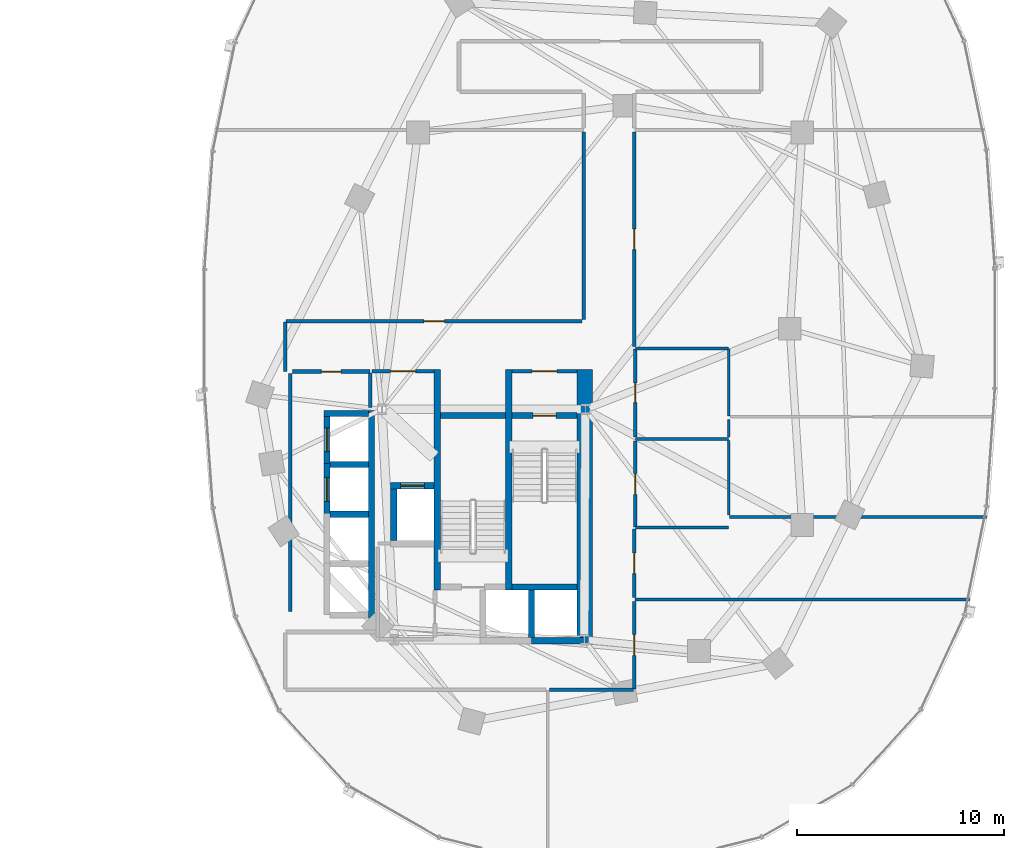
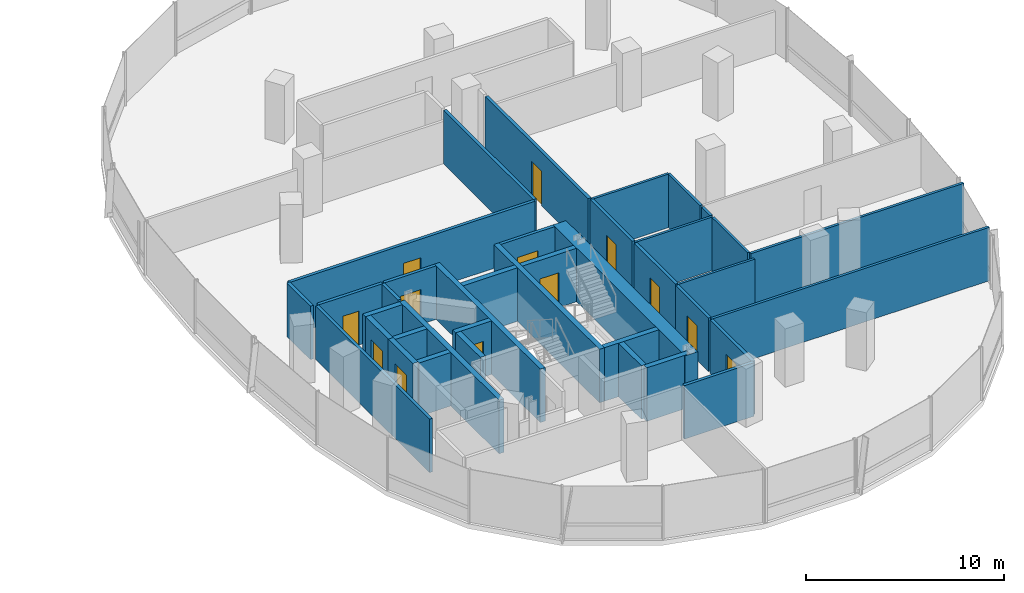
# One storey, part 13 of 21: 38 walls, 13 doors, 13 openings.
"""IFC4 building model written with IfcOpenShell, lengths in metres."""

from ifc_helpers import new_model, si_unit, direction, frame, frame_2d, origin, place, context, subcontext, project, spatial, rectangle, extrude, material, layer, layer_set, type_object, element, fill, save


model = new_model("IFC4")

# Units and contexts
model_context = context("Model", 3, precision=1e-05, world=origin(), true_north=direction((0.0, 1.0)))
body_context = subcontext(model_context, "Body", "Model", "MODEL_VIEW")
ifc_project = project(units=[si_unit("LENGTHUNIT", "METRE"), si_unit("AREAUNIT", "SQUARE_METRE"), si_unit("VOLUMEUNIT", "CUBIC_METRE"), si_unit("PLANEANGLEUNIT", "RADIAN"), si_unit("MASSUNIT", "GRAM", prefix="KILO"), si_unit("THERMODYNAMICTEMPERATUREUNIT", "KELVIN"), si_unit("POWERUNIT", "WATT")], contexts=[model_context])

# Site, building, storey
site_placement = place(None, origin())
site = spatial("IfcSite", under=ifc_project, at=site_placement, CompositionType="ELEMENT")
building_placement = place(site_placement, origin())
building = spatial("IfcBuilding", under=site, at=building_placement, Name="Cundina Bronze Exchange", CompositionType="ELEMENT")
storey_placement = place(building_placement, frame((0.0, 0.0, 96.199951171875)))
storey = spatial("IfcBuildingStorey", under=building, at=storey_placement, Name="L24", CompositionType="ELEMENT", Elevation=96.199951171875)

# Wall
ifc_material_1 = material(Name="Gypsum Fireboard Partition EI120")
ifc_layer_1 = layer(ifc_material_1, 0.179931640625, Name="Gypsum Fireboard Partition EI120")
ifc_layer_set_1 = layer_set([ifc_layer_1], Name="Gypsum Fireboard Partition EI120")
wall_type_1 = type_object("IfcWallType", Name="WL-COR-180", PredefinedType="PARTITIONING", material=ifc_layer_set_1)
wall_1_placement = place(storey_placement, frame((20.889892578125, -3.800048828125, 0.0), z_axis=(0.0, 0.0, 1.0), x_axis=(0.0, 1.0, 0.0)))
element("IfcWall", 1, at=wall_1_placement, inside=storey, type_object=wall_type_1, Name="L24 E Firefighting Lobby Side Wall", PredefinedType="PARTITIONING", context=body_context, shape_type="SweptSolid", body=[
    extrude(rectangle(XDim=1.650146484375, YDim=0.179931640625, at=frame_2d((0.8251953125, 0.0))), origin(), (0.0, 0.0, 1.0), 3.300048828125),
])

# Wall, opening, door
wall_2_placement = place(storey_placement, frame((20.97998046875, -2.06005859375, 0.0), z_axis=(0.0, 0.0, 1.0), x_axis=(1.0, 0.0, 0.0)))
wall_2 = element("IfcWall", 2, at=wall_2_placement, inside=storey, type_object=wall_type_1, Name="L24 E Firefighting Lobby Exit Wall", PredefinedType="PARTITIONING", context=body_context, shape_type="SweptSolid", body=[
    extrude(rectangle(XDim=3.0, YDim=0.179931640625, at=frame_2d((1.5, 0.0))), origin(), (0.0, 0.0, 1.0), 3.300048828125),
])
opening_1_placement = place(wall_2_placement, frame((0.89990234375, 0.0, 0.0)))
opening_1 = element("IfcOpeningElement", 3, at=opening_1_placement, cuts=wall_2, Name="Opening DF-01", PredefinedType="OPENING", context=body_context, shape_type="SweptSolid", body=[
    extrude(rectangle(XDim=1.199951171875, YDim=2.14990234375, at=frame_2d((0.60009765625, 1.074951171875))), frame((0.0, 0.099853515625, 0.0), z_axis=(0.0, -1.0, 0.0), x_axis=(1.0, 0.0, 0.0)), (0.0, 0.0, 1.0), 0.199951171875),
])
ifc_material_2 = material(Name="Steel ASTM A36 Painted", Category="steel")
door_type_1 = type_object("IfcDoorType", Name="DR-FFL-1200", OperationType="NOTDEFINED", PredefinedType="DOOR", material=ifc_material_2)
door_1_placement = place(opening_1_placement, origin())
door_1 = element("IfcDoor", 4, at=door_1_placement, inside=storey, type_object=door_type_1, Name="L24 E Firefighting Lobby Door", OperationType="SINGLE_SWING_LEFT", OverallHeight=2.14990234375, OverallWidth=1.199951171875, PredefinedType="DOOR", context=body_context, shape_type="SweptSolid", body=[
    extrude(rectangle(XDim=1.199951171875, YDim=2.14990234375, at=frame_2d((0.60009765625, 1.074951171875))), frame((0.0, 0.02490234375, 0.0), z_axis=(0.0, -1.0, 0.0), x_axis=(1.0, 0.0, 0.0)), (0.0, 0.0, 1.0), 0.050048828125),
])
fill(opening_1, door_1)

wall_3_placement = place(storey_placement, frame((27.739990234375, -2.06005859375, 0.0), z_axis=(0.0, 0.0, 1.0), x_axis=(1.0, 0.0, 0.0)))
wall_3 = element("IfcWall", 5, at=wall_3_placement, inside=storey, type_object=wall_type_1, Name="L24 E Stair Vestibule Exit Wall", PredefinedType="PARTITIONING", context=body_context, shape_type="SweptSolid", body=[
    extrude(rectangle(XDim=3.159912109375, YDim=0.179931640625, at=frame_2d((1.580078125, 0.0))), origin(), (0.0, 0.0, 1.0), 3.300048828125),
])
opening_2_placement = place(wall_3_placement, frame((0.97998046875, 0.0, 0.0)))
opening_2 = element("IfcOpeningElement", 6, at=opening_2_placement, cuts=wall_3, Name="Opening DF-01", PredefinedType="OPENING", context=body_context, shape_type="SweptSolid", body=[
    extrude(rectangle(XDim=1.199951171875, YDim=2.14990234375, at=frame_2d((0.60009765625, 1.074951171875))), frame((0.0, 0.099853515625, 0.0), z_axis=(0.0, -1.0, 0.0), x_axis=(1.0, 0.0, 0.0)), (0.0, 0.0, 1.0), 0.199951171875),
])
door_2_placement = place(opening_2_placement, origin())
door_2 = element("IfcDoor", 7, at=door_2_placement, inside=storey, type_object=door_type_1, Name="L24 E Stair Vestibule Door", OperationType="SINGLE_SWING_RIGHT", OverallHeight=2.14990234375, OverallWidth=1.199951171875, PredefinedType="DOOR", context=body_context, shape_type="SweptSolid", body=[
    extrude(rectangle(XDim=1.199951171875, YDim=2.14990234375, at=frame_2d((0.60009765625, 1.074951171875))), frame((0.0, 0.02490234375, 0.0), z_axis=(0.0, -1.0, 0.0), x_axis=(1.0, 0.0, 0.0)), (0.0, 0.0, 1.0), 0.050048828125),
])
fill(opening_2, door_2)

# Wall
wall_4_placement = place(storey_placement, frame((17.02001953125, -13.679931640625, 0.0), z_axis=(0.0, 0.0, 1.0), x_axis=(0.0, 1.0, 0.0)))
element("IfcWall", 8, at=wall_4_placement, inside=storey, type_object=wall_type_1, Name="L24 Interior Partition 038", PredefinedType="PARTITIONING", context=body_context, shape_type="SweptSolid", body=[
    extrude(rectangle(XDim=11.510009765625, YDim=0.179931640625, at=frame_2d((5.7548828125, 0.0))), origin(), (0.0, 0.0, 1.0), 3.300048828125),
])

# Wall, opening, door
wall_5_placement = place(storey_placement, frame((17.1201171875, -2.070068359375, 0.0), z_axis=(0.0, 0.0, 1.0), x_axis=(1.0, 0.0, 0.0)))
wall_5 = element("IfcWall", 9, at=wall_5_placement, inside=storey, type_object=wall_type_1, Name="L24 Interior Partition 039", PredefinedType="PARTITIONING", context=body_context, shape_type="SweptSolid", body=[
    extrude(rectangle(XDim=3.75, YDim=0.179931640625, at=frame_2d((1.875, 0.0))), origin(), (0.0, 0.0, 1.0), 3.300048828125),
])
opening_3_placement = place(wall_5_placement, frame((1.39990234375, 0.0, 0.0)))
opening_3 = element("IfcOpeningElement", 10, at=opening_3_placement, cuts=wall_5, Name="Opening DW-01", PredefinedType="OPENING", context=body_context, shape_type="SweptSolid", body=[
    extrude(rectangle(XDim=0.949951171875, YDim=2.10009765625, at=frame_2d((0.47509765625, 1.050048828125))), frame((0.0, 0.099853515625, 0.0), z_axis=(0.0, -1.0, 0.0), x_axis=(1.0, 0.0, 0.0)), (0.0, 0.0, 1.0), 0.199951171875),
])
ifc_material_3 = material(Name="Solid Andean Oak Timber Grade A", Category="wood")
door_type_2 = type_object("IfcDoorType", Name="DR-WC-950", OperationType="NOTDEFINED", PredefinedType="DOOR", material=ifc_material_3)
door_3_placement = place(opening_3_placement, origin())
door_3 = element("IfcDoor", 11, at=door_3_placement, inside=storey, type_object=door_type_2, Name="L24 Interior Door 039", OperationType="SINGLE_SWING_RIGHT", OverallHeight=2.10009765625, OverallWidth=0.949951171875, PredefinedType="DOOR", context=body_context, shape_type="SweptSolid", body=[
    extrude(rectangle(XDim=0.949951171875, YDim=2.10009765625, at=frame_2d((0.47509765625, 1.050048828125))), frame((0.0, 0.02490234375, 0.0), z_axis=(0.0, -1.0, 0.0), x_axis=(1.0, 0.0, 0.0)), (0.0, 0.0, 1.0), 0.050048828125),
])
fill(opening_3, door_3)

wall_6_placement = place(storey_placement, frame((33.719970703125, -5.22998046875, 0.0), z_axis=(0.0, 0.0, 1.0), x_axis=(0.0, 1.0, 0.0)))
wall_6 = element("IfcWall", 12, at=wall_6_placement, inside=storey, type_object=wall_type_1, Name="L24 Interior Partition 050", PredefinedType="PARTITIONING", context=body_context, shape_type="SweptSolid", body=[
    extrude(rectangle(XDim=4.260009765625, YDim=0.179931640625, at=frame_2d((2.1298828125, 0.0))), origin(), (0.0, 0.0, 1.0), 3.300048828125),
])
opening_4_placement = place(wall_6_placement, frame((1.655029296875, 0.0, 0.0)))
opening_4 = element("IfcOpeningElement", 13, at=opening_4_placement, cuts=wall_6, Name="Opening DW-01", PredefinedType="OPENING", context=body_context, shape_type="SweptSolid", body=[
    extrude(rectangle(XDim=0.949951171875, YDim=2.10009765625, at=frame_2d((0.47509765625, 1.050048828125))), frame((0.0, 0.099853515625, 0.0), z_axis=(0.0, -1.0, 0.0), x_axis=(1.0, 0.0, 0.0)), (0.0, 0.0, 1.0), 0.199951171875),
])
door_4_placement = place(opening_4_placement, origin())
door_4 = element("IfcDoor", 14, at=door_4_placement, inside=storey, type_object=door_type_2, Name="L24 Interior Door 050", OperationType="SINGLE_SWING_LEFT", OverallHeight=2.10009765625, OverallWidth=0.949951171875, PredefinedType="DOOR", context=body_context, shape_type="SweptSolid", body=[
    extrude(rectangle(XDim=0.949951171875, YDim=2.10009765625, at=frame_2d((0.47509765625, 1.050048828125))), frame((0.0, 0.02490234375, 0.0), z_axis=(0.0, -1.0, 0.0), x_axis=(1.0, 0.0, 0.0)), (0.0, 0.0, 1.0), 0.050048828125),
])
fill(opening_4, door_4)

wall_7_placement = place(storey_placement, frame((33.719970703125, -9.590087890625, 0.0), z_axis=(0.0, 0.0, 1.0), x_axis=(0.0, 1.0, 0.0)))
wall_7 = element("IfcWall", 15, at=wall_7_placement, inside=storey, type_object=wall_type_1, Name="L24 Interior Partition 051", PredefinedType="PARTITIONING", context=body_context, shape_type="SweptSolid", body=[
    extrude(rectangle(XDim=4.16015625, YDim=0.179931640625, at=frame_2d((2.080078125, 0.0))), origin(), (0.0, 0.0, 1.0), 3.300048828125),
])
opening_5_placement = place(wall_7_placement, frame((1.580078125, 0.0, 0.0)))
opening_5 = element("IfcOpeningElement", 16, at=opening_5_placement, cuts=wall_7, Name="Opening DO-01", PredefinedType="OPENING", context=body_context, shape_type="SweptSolid", body=[
    extrude(rectangle(XDim=1.0, YDim=2.14990234375, at=frame_2d((0.5, 1.074951171875))), frame((0.0, 0.099853515625, 0.0), z_axis=(0.0, -1.0, 0.0), x_axis=(1.0, 0.0, 0.0)), (0.0, 0.0, 1.0), 0.199951171875),
])
door_type_3 = type_object("IfcDoorType", Name="DR-OFF-1000", OperationType="NOTDEFINED", PredefinedType="DOOR", material=ifc_material_3)
door_5_placement = place(opening_5_placement, origin())
door_5 = element("IfcDoor", 17, at=door_5_placement, inside=storey, type_object=door_type_3, Name="L24 Interior Door 051", OperationType="SINGLE_SWING_RIGHT", OverallHeight=2.14990234375, OverallWidth=1.0, PredefinedType="DOOR", context=body_context, shape_type="SweptSolid", body=[
    extrude(rectangle(XDim=1.0, YDim=2.14990234375, at=frame_2d((0.5, 1.074951171875))), frame((0.0, 0.02490234375, 0.0), z_axis=(0.0, -1.0, 0.0), x_axis=(1.0, 0.0, 0.0)), (0.0, 0.0, 1.0), 0.050048828125),
])
fill(opening_5, door_5)

wall_8_placement = place(storey_placement, frame((33.669921875, -17.428466796875, 0.0), z_axis=(0.0, 0.0, 1.0), x_axis=(0.0, 1.0, 0.0)))
wall_8 = element("IfcWall", 18, at=wall_8_placement, inside=storey, type_object=wall_type_1, Name="L24 Interior Partition 057", PredefinedType="PARTITIONING", context=body_context, shape_type="SweptSolid", body=[
    extrude(rectangle(XDim=4.238525390625, YDim=0.179931640625, at=frame_2d((2.119140625, 0.0))), origin(), (0.0, 0.0, 1.0), 3.300048828125),
])
opening_6_placement = place(wall_8_placement, frame((1.619384765625, 0.0, 0.0)))
opening_6 = element("IfcOpeningElement", 19, at=opening_6_placement, cuts=wall_8, Name="Opening DO-01", PredefinedType="OPENING", context=body_context, shape_type="SweptSolid", body=[
    extrude(rectangle(XDim=1.0, YDim=2.14990234375, at=frame_2d((0.5, 1.074951171875))), frame((0.0, 0.099853515625, 0.0), z_axis=(0.0, -1.0, 0.0), x_axis=(1.0, 0.0, 0.0)), (0.0, 0.0, 1.0), 0.199951171875),
])
door_6_placement = place(opening_6_placement, origin())
door_6 = element("IfcDoor", 20, at=door_6_placement, inside=storey, type_object=door_type_3, Name="L24 Interior Door 057", OperationType="SINGLE_SWING_RIGHT", OverallHeight=2.14990234375, OverallWidth=1.0, PredefinedType="DOOR", context=body_context, shape_type="SweptSolid", body=[
    extrude(rectangle(XDim=1.0, YDim=2.14990234375, at=frame_2d((0.5, 1.074951171875))), frame((0.0, 0.02490234375, 0.0), z_axis=(0.0, -1.0, 0.0), x_axis=(1.0, 0.0, 0.0)), (0.0, 0.0, 1.0), 0.050048828125),
])
fill(opening_6, door_6)

# Wall
wall_9_placement = place(storey_placement, frame((29.570068359375, -17.469970703125, 0.0), z_axis=(0.0, 0.0, 1.0), x_axis=(1.0, 0.0, 0.0)))
element("IfcWall", 21, at=wall_9_placement, inside=storey, type_object=wall_type_1, Name="L24 Interior Partition 058", PredefinedType="PARTITIONING", context=body_context, shape_type="SweptSolid", body=[
    extrude(rectangle(XDim=4.058349609375, YDim=0.179931640625, at=frame_2d((2.029296875, 0.0))), origin(), (0.0, 0.0, 1.0), 3.300048828125),
])

# Wall, opening, door
wall_10_placement = place(storey_placement, frame((33.669921875, -13.010009765625, 0.0), z_axis=(0.0, 0.0, 1.0), x_axis=(0.0, 1.0, 0.0)))
wall_10 = element("IfcWall", 22, at=wall_10_placement, inside=storey, type_object=wall_type_1, Name="L24 Interior Partition 059", PredefinedType="PARTITIONING", context=body_context, shape_type="SweptSolid", body=[
    extrude(rectangle(XDim=3.30859375, YDim=0.179931640625, at=frame_2d((1.654296875, 0.0))), origin(), (0.0, 0.0, 1.0), 3.300048828125),
])
opening_7_placement = place(wall_10_placement, frame((1.154296875, 0.0, 0.0)))
opening_7 = element("IfcOpeningElement", 23, at=opening_7_placement, cuts=wall_10, Name="Opening DO-01", PredefinedType="OPENING", context=body_context, shape_type="SweptSolid", body=[
    extrude(rectangle(XDim=1.0, YDim=2.14990234375, at=frame_2d((0.5, 1.074951171875))), frame((0.0, 0.099853515625, 0.0), z_axis=(0.0, -1.0, 0.0), x_axis=(1.0, 0.0, 0.0)), (0.0, 0.0, 1.0), 0.199951171875),
])
door_7_placement = place(opening_7_placement, origin())
door_7 = element("IfcDoor", 24, at=door_7_placement, inside=storey, type_object=door_type_3, Name="L24 Interior Door 059", OperationType="SINGLE_SWING_LEFT", OverallHeight=2.14990234375, OverallWidth=1.0, PredefinedType="DOOR", context=body_context, shape_type="SweptSolid", body=[
    extrude(rectangle(XDim=1.0, YDim=2.14990234375, at=frame_2d((0.5, 1.074951171875))), frame((0.0, 0.02490234375, 0.0), z_axis=(0.0, -1.0, 0.0), x_axis=(1.0, 0.0, 0.0)), (0.0, 0.0, 1.0), 0.050048828125),
])
fill(opening_7, door_7)

wall_11_placement = place(storey_placement, frame((31.14990234375, 0.3701171875, 0.0), z_axis=(0.0, 0.0, 1.0), x_axis=(-1.0, 0.0, 0.0)))
wall_11 = element("IfcWall", 25, at=wall_11_placement, inside=storey, type_object=wall_type_1, Name="L24 Interior Partition 060", PredefinedType="PARTITIONING", context=body_context, shape_type="SweptSolid", body=[
    extrude(rectangle(XDim=14.328369140625, YDim=0.179931640625, at=frame_2d((7.1640625, 0.0))), origin(), (0.0, 0.0, 1.0), 3.300048828125),
])
opening_8_placement = place(wall_11_placement, frame((6.664306640625, 0.0, 0.0)))
opening_8 = element("IfcOpeningElement", 26, at=opening_8_placement, cuts=wall_11, Name="Opening DO-01", PredefinedType="OPENING", context=body_context, shape_type="SweptSolid", body=[
    extrude(rectangle(XDim=1.0, YDim=2.14990234375, at=frame_2d((0.5, 1.074951171875))), frame((0.0, 0.099853515625, 0.0), z_axis=(0.0, -1.0, 0.0), x_axis=(1.0, 0.0, 0.0)), (0.0, 0.0, 1.0), 0.199951171875),
])
door_8_placement = place(opening_8_placement, origin())
door_8 = element("IfcDoor", 27, at=door_8_placement, inside=storey, type_object=door_type_3, Name="L24 Interior Door 060", OperationType="SINGLE_SWING_RIGHT", OverallHeight=2.14990234375, OverallWidth=1.0, PredefinedType="DOOR", context=body_context, shape_type="SweptSolid", body=[
    extrude(rectangle(XDim=1.0, YDim=2.14990234375, at=frame_2d((0.5, 1.074951171875))), frame((0.0, 0.02490234375, 0.0), z_axis=(0.0, -1.0, 0.0), x_axis=(1.0, 0.0, 0.0)), (0.0, 0.0, 1.0), 0.050048828125),
])
fill(opening_8, door_8)

# Walls
wall_12_placement = place(storey_placement, frame((31.22998046875, 9.530029296875, 0.0), z_axis=(0.0, 0.0, 1.0), x_axis=(0.0, -1.0, 0.0)))
element("IfcWall", 28, at=wall_12_placement, inside=storey, type_object=wall_type_1, Name="L24 Interior Partition 062", PredefinedType="PARTITIONING", context=body_context, shape_type="SweptSolid", body=[
    extrude(rectangle(XDim=9.080078125, YDim=0.179931640625, at=frame_2d((4.5400390625, 0.0))), origin(), (0.0, 0.0, 1.0), 3.300048828125),
])
wall_13_placement = place(storey_placement, frame((16.780029296875, 0.32861328125, 0.0), z_axis=(0.0, 0.0, 1.0), x_axis=(0.0, -1.0, 0.0)))
element("IfcWall", 29, at=wall_13_placement, inside=storey, type_object=wall_type_1, Name="L24 Interior Partition 065", PredefinedType="PARTITIONING", context=body_context, shape_type="SweptSolid", body=[
    extrude(rectangle(XDim=2.38720703125, YDim=0.179931640625, at=frame_2d((1.193603515625, 0.0))), origin(), (0.0, 0.0, 1.0), 3.300048828125),
])

# Wall, opening, door
wall_14_placement = place(storey_placement, frame((33.669921875, -0.858642578125, 0.0), z_axis=(0.0, 0.0, 1.0), x_axis=(0.0, 1.0, 0.0)))
wall_14 = element("IfcWall", 30, at=wall_14_placement, inside=storey, type_object=wall_type_1, Name="L24 Interior Partition 066", PredefinedType="PARTITIONING", context=body_context, shape_type="SweptSolid", body=[
    extrude(rectangle(XDim=10.388671875, YDim=0.179931640625, at=frame_2d((5.1943359375, 0.0))), origin(), (0.0, 0.0, 1.0), 3.300048828125),
])
opening_9_placement = place(wall_14_placement, frame((4.6943359375, 0.0, 0.0)))
opening_9 = element("IfcOpeningElement", 31, at=opening_9_placement, cuts=wall_14, Name="Opening DO-01", PredefinedType="OPENING", context=body_context, shape_type="SweptSolid", body=[
    extrude(rectangle(XDim=1.0, YDim=2.14990234375, at=frame_2d((0.5, 1.074951171875))), frame((0.0, 0.099853515625, 0.0), z_axis=(0.0, -1.0, 0.0), x_axis=(1.0, 0.0, 0.0)), (0.0, 0.0, 1.0), 0.199951171875),
])
door_9_placement = place(opening_9_placement, origin())
door_9 = element("IfcDoor", 32, at=door_9_placement, inside=storey, type_object=door_type_3, Name="L24 Interior Door 066", OperationType="SINGLE_SWING_RIGHT", OverallHeight=2.14990234375, OverallWidth=1.0, PredefinedType="DOOR", context=body_context, shape_type="SweptSolid", body=[
    extrude(rectangle(XDim=1.0, YDim=2.14990234375, at=frame_2d((0.5, 1.074951171875))), frame((0.0, 0.02490234375, 0.0), z_axis=(0.0, -1.0, 0.0), x_axis=(1.0, 0.0, 0.0)), (0.0, 0.0, 1.0), 0.050048828125),
])
fill(opening_9, door_9)

# Walls
ifc_material_4 = material(Name="Concrete C60/75", Category="concrete")
ifc_layer_2 = layer(ifc_material_4, 0.75, Name="Concrete C60/75", Category="concrete")
ifc_layer_set_2 = layer_set([ifc_layer_2], Name="Concrete C60/75")
wall_type_2 = type_object("IfcWallType", Name="WL-CORE-750", PredefinedType="SHEAR", material=ifc_layer_set_2)
wall_15_placement = place(storey_placement, frame((31.27490234375, -15.300048828125, 0.0), z_axis=(0.0, 0.0, 1.0), x_axis=(0.0, 1.0, 0.0)))
element("IfcWall", 33, at=wall_15_placement, inside=storey, type_object=wall_type_2, Name="L24 E Primary Core Shear Spine Wall", PredefinedType="SHEAR", context=body_context, shape_type="SweptSolid", body=[
    extrude(rectangle(XDim=13.330078125, YDim=0.75, at=frame_2d((6.6650390625, 0.0))), origin(), (0.0, 0.0, 1.0), 3.300048828125),
])
ifc_material_5 = material(Name="Concrete C50/60", Category="concrete")
ifc_layer_3 = layer(ifc_material_5, 0.300048828125, Name="Concrete C50/60", Category="concrete")
ifc_layer_set_3 = layer_set([ifc_layer_3], Name="Concrete C50/60")
wall_type_3 = type_object("IfcWallType", Name="WL-SHFT-300", PredefinedType="SHEAR", material=ifc_layer_set_3)
for number, where, z_axis, x_axis, name in (
    (34, (27.590087890625, -12.64990234375, 0.0), (0.0, 0.0, 1.0), (0.0, 1.0, 0.0), "L24 E Stair Shaft Dividing Shear Wall"),
    (35, (24.1298828125, -12.64990234375, 0.0), (0.0, 0.0, 1.0), (0.0, 1.0, 0.0), "L24 E Stair 2 East Shear Wall"),
):
    element("IfcWall", number, at=place(storey_placement, frame(where, z_axis=z_axis, x_axis=x_axis)), inside=storey, type_object=wall_type_3, Name=name, PredefinedType="SHEAR", context=body_context, shape_type="SweptSolid", body=[
        extrude(rectangle(XDim=10.679931640625, YDim=0.300048828125, at=frame_2d((5.33984375, 0.0))), origin(), (0.0, 0.0, 1.0), 3.300048828125),
    ])

# Wall, opening, door
wall_16_placement = place(storey_placement, frame((27.739990234375, -4.199951171875, 0.0), z_axis=(0.0, 0.0, 1.0), x_axis=(1.0, 0.0, 0.0)))
wall_16 = element("IfcWall", 36, at=wall_16_placement, inside=storey, type_object=wall_type_3, Name="L24 Stair E1 Landing Wall", PredefinedType="SHEAR", context=body_context, shape_type="SweptSolid", body=[
    extrude(rectangle(XDim=3.159912109375, YDim=0.300048828125, at=frame_2d((1.580078125, 0.0))), origin(), (0.0, 0.0, 1.0), 3.300048828125),
])
opening_10_placement = place(wall_16_placement, frame((1.030029296875, 0.0, 0.0)))
opening_10 = element("IfcOpeningElement", 37, at=opening_10_placement, cuts=wall_16, Name="Opening DS-01", PredefinedType="OPENING", context=body_context, shape_type="SweptSolid", body=[
    extrude(rectangle(XDim=1.10009765625, YDim=2.14990234375, at=frame_2d((0.550048828125, 1.074951171875))), frame((0.0, 0.159912109375, 0.0), z_axis=(0.0, -1.0, 0.0), x_axis=(1.0, 0.0, 0.0)), (0.0, 0.0, 1.0), 0.320068359375),
])
door_type_4 = type_object("IfcDoorType", Name="DR-STR-1100", OperationType="NOTDEFINED", PredefinedType="DOOR", material=ifc_material_2)
door_10_placement = place(opening_10_placement, origin())
door_10 = element("IfcDoor", 38, at=door_10_placement, inside=storey, type_object=door_type_4, Name="L24 Smokeproof Stair E1 Door", OperationType="SINGLE_SWING_LEFT", OverallHeight=2.14990234375, OverallWidth=1.10009765625, PredefinedType="DOOR", context=body_context, shape_type="SweptSolid", body=[
    extrude(rectangle(XDim=1.10009765625, YDim=2.14990234375, at=frame_2d((0.550048828125, 1.074951171875))), frame((0.0, 0.02490234375, 0.0), z_axis=(0.0, -1.0, 0.0), x_axis=(1.0, 0.0, 0.0)), (0.0, 0.0, 1.0), 0.050048828125),
])
fill(opening_10, door_10)

# Walls
for number, where, z_axis, x_axis, name in (
    (39, (27.739990234375, -12.5, 0.0), (0.0, 0.0, 1.0), (1.0, 0.0, 0.0), "L24 Stair E1 Far Shaft Wall"),
    (40, (24.280029296875, -4.199951171875, 0.0), (0.0, 0.0, 1.0), (1.0, 0.0, 0.0), "L24 Stair E2 Far Shaft Wall"),
):
    element("IfcWall", number, at=place(storey_placement, frame(where, z_axis=z_axis, x_axis=x_axis)), inside=storey, type_object=wall_type_3, Name=name, PredefinedType="SHEAR", context=body_context, shape_type="SweptSolid", body=[
        extrude(rectangle(XDim=3.159912109375, YDim=0.300048828125, at=frame_2d((1.580078125, 0.0))), origin(), (0.0, 0.0, 1.0), 3.300048828125),
    ])

# Wall, opening, door
wall_17_placement = place(storey_placement, frame((21.8798828125, -7.60009765625, 0.0), z_axis=(0.0, 0.0, 1.0), x_axis=(1.0, 0.0, 0.0)))
wall_17 = element("IfcWall", 41, at=wall_17_placement, inside=storey, type_object=wall_type_3, Name="L24 FFL-E Hoistway Front Wall", PredefinedType="SHEAR", context=body_context, shape_type="SweptSolid", body=[
    extrude(rectangle(XDim=2.10009765625, YDim=0.300048828125, at=frame_2d((1.050048828125, 0.0))), origin(), (0.0, 0.0, 1.0), 3.300048828125),
])
opening_11_placement = place(wall_17_placement, frame((0.47509765625, 0.0, 0.0)))
opening_11 = element("IfcOpeningElement", 42, at=opening_11_placement, cuts=wall_17, Name="Opening LD-01", PredefinedType="OPENING", context=body_context, shape_type="SweptSolid", body=[
    extrude(rectangle(XDim=1.14990234375, YDim=2.199951171875, at=frame_2d((0.574951171875, 1.10009765625))), frame((0.0, 0.159912109375, 0.0), z_axis=(0.0, -1.0, 0.0), x_axis=(1.0, 0.0, 0.0)), (0.0, 0.0, 1.0), 0.320068359375),
])
door_type_5 = type_object("IfcDoorType", Name="DR-LND-1150", OperationType="NOTDEFINED", PredefinedType="TRAPDOOR", material=ifc_material_2)
door_11_placement = place(opening_11_placement, origin())
door_11 = element("IfcDoor", 43, at=door_11_placement, inside=storey, type_object=door_type_5, Name="L24 FFL-E Sliding Landing Door", OperationType="SLIDING_TO_LEFT", OverallHeight=2.199951171875, OverallWidth=1.14990234375, PredefinedType="TRAPDOOR", context=body_context, shape_type="SweptSolid", body=[
    extrude(rectangle(XDim=1.14990234375, YDim=2.199951171875, at=frame_2d((0.574951171875, 1.10009765625))), frame((0.0, 0.02490234375, 0.0), z_axis=(0.0, -1.0, 0.0), x_axis=(1.0, 0.0, 0.0)), (0.0, 0.0, 1.0), 0.050048828125),
])
fill(opening_11, door_11)

# Walls
for number, where, z_axis, x_axis, name in (
    (44, (22.030029296875, -10.25, 0.0), (0.0, 0.0, 1.0), (0.0, 1.0, 0.0), "L24 FFL-E Hoistway Side Wall"),
    (45, (28.699951171875, -15.10009765625, 0.0), (0.0, 0.0, 1.0), (1.0, 0.0, 0.0), "L24 PH-E1 Hoistway Front Wall"),
):
    element("IfcWall", number, at=place(storey_placement, frame(where, z_axis=z_axis, x_axis=x_axis)), inside=storey, type_object=wall_type_3, Name=name, PredefinedType="SHEAR", context=body_context, shape_type="SweptSolid", body=[
        extrude(rectangle(XDim=2.5, YDim=0.300048828125, at=frame_2d((1.25, 0.0))), origin(), (0.0, 0.0, 1.0), 3.300048828125),
    ])
wall_18_placement = place(storey_placement, frame((28.699951171875, -14.949951171875, 0.0), z_axis=(0.0, 0.0, 1.0), x_axis=(0.0, 1.0, 0.0)))
element("IfcWall", 46, at=wall_18_placement, inside=storey, type_object=wall_type_3, Name="L24 PH-E1 Hoistway Divider Wall", PredefinedType="SHEAR", context=body_context, shape_type="SweptSolid", body=[
    extrude(rectangle(XDim=2.300048828125, YDim=0.300048828125, at=frame_2d((1.14990234375, 0.0))), origin(), (0.0, 0.0, 1.0), 3.300048828125),
])
wall_19_placement = place(storey_placement, frame((20.949951171875, -14.0, 0.0), z_axis=(0.0, 0.0, 1.0), x_axis=(0.0, 1.0, 0.0)))
element("IfcWall", 47, at=wall_19_placement, inside=storey, type_object=wall_type_3, Name="L24 E Passenger Bank Hoistway Back Wall", PredefinedType="SHEAR", context=body_context, shape_type="SweptSolid", body=[
    extrude(rectangle(XDim=10.050048828125, YDim=0.300048828125, at=frame_2d((5.02490234375, 0.0))), origin(), (0.0, 0.0, 1.0), 3.300048828125),
])
wall_20_placement = place(storey_placement, frame((18.64990234375, -4.10009765625, 0.0), z_axis=(0.0, 0.0, 1.0), x_axis=(1.0, 0.0, 0.0)))
element("IfcWall", 48, at=wall_20_placement, inside=storey, type_object=wall_type_3, Name="L24 E Passenger Bank North Cap Wall", PredefinedType="SHEAR", context=body_context, shape_type="SweptSolid", body=[
    extrude(rectangle(XDim=2.150146484375, YDim=0.300048828125, at=frame_2d((1.0751953125, 0.0))), origin(), (0.0, 0.0, 1.0), 3.300048828125),
])
for number, where, z_axis, x_axis, name in (
    (49, (18.949951171875, -8.97509765625, 0.0), (0.0, 0.0, 1.0), (1.0, 0.0, 0.0), "L24 E Passenger Hoistway Divider 2"),
    (50, (18.949951171875, -6.574951171875, 0.0), (0.0, 0.0, 1.0), (1.0, 0.0, 0.0), "L24 E Passenger Hoistway Divider 3"),
):
    element("IfcWall", number, at=place(storey_placement, frame(where, z_axis=z_axis, x_axis=x_axis)), inside=storey, type_object=wall_type_3, Name=name, PredefinedType="SHEAR", context=body_context, shape_type="SweptSolid", body=[
        extrude(rectangle(XDim=1.85009765625, YDim=0.300048828125, at=frame_2d((0.925048828125, 0.0))), origin(), (0.0, 0.0, 1.0), 3.300048828125),
    ])

# Wall, opening, door
wall_21_placement = place(storey_placement, frame((18.800048828125, -9.02001953125, 0.0), z_axis=(0.0, 0.0, 1.0), x_axis=(0.0, 1.0, 0.0)))
wall_21 = element("IfcWall", 51, at=wall_21_placement, inside=storey, type_object=wall_type_3, Name="L24 PL-E1 Hoistway Front Wall", PredefinedType="SHEAR", context=body_context, shape_type="SweptSolid", body=[
    extrude(rectangle(XDim=2.489990234375, YDim=0.300048828125, at=frame_2d((1.2451171875, 0.0))), origin(), (0.0, 0.0, 1.0), 3.300048828125),
])
opening_12_placement = place(wall_21_placement, frame((0.669921875, 0.0, 0.0)))
opening_12 = element("IfcOpeningElement", 52, at=opening_12_placement, cuts=wall_21, Name="Opening LD-01", PredefinedType="OPENING", context=body_context, shape_type="SweptSolid", body=[
    extrude(rectangle(XDim=1.14990234375, YDim=2.199951171875, at=frame_2d((0.574951171875, 1.10009765625))), frame((0.0, 0.159912109375, 0.0), z_axis=(0.0, -1.0, 0.0), x_axis=(1.0, 0.0, 0.0)), (0.0, 0.0, 1.0), 0.320068359375),
])
door_12_placement = place(opening_12_placement, origin())
door_12 = element("IfcDoor", 53, at=door_12_placement, inside=storey, type_object=door_type_5, Name="L24 PL-E1 Sliding Landing Door", OperationType="SLIDING_TO_LEFT", OverallHeight=2.199951171875, OverallWidth=1.14990234375, PredefinedType="TRAPDOOR", context=body_context, shape_type="SweptSolid", body=[
    extrude(rectangle(XDim=1.14990234375, YDim=2.199951171875, at=frame_2d((0.574951171875, 1.10009765625))), frame((0.0, 0.02490234375, 0.0), z_axis=(0.0, -1.0, 0.0), x_axis=(1.0, 0.0, 0.0)), (0.0, 0.0, 1.0), 0.050048828125),
])
fill(opening_12, door_12)

wall_22_placement = place(storey_placement, frame((18.800048828125, -6.6201171875, 0.0), z_axis=(0.0, 0.0, 1.0), x_axis=(0.0, 1.0, 0.0)))
wall_22 = element("IfcWall", 54, at=wall_22_placement, inside=storey, type_object=wall_type_3, Name="L24 PL-E2 Hoistway Front Wall", PredefinedType="SHEAR", context=body_context, shape_type="SweptSolid", body=[
    extrude(rectangle(XDim=2.490234375, YDim=0.300048828125, at=frame_2d((1.2451171875, 0.0))), origin(), (0.0, 0.0, 1.0), 3.300048828125),
])
opening_13_placement = place(wall_22_placement, frame((0.669921875, 0.0, 0.0)))
opening_13 = element("IfcOpeningElement", 55, at=opening_13_placement, cuts=wall_22, Name="Opening LD-01", PredefinedType="OPENING", context=body_context, shape_type="SweptSolid", body=[
    extrude(rectangle(XDim=1.14990234375, YDim=2.199951171875, at=frame_2d((0.574951171875, 1.10009765625))), frame((0.0, 0.159912109375, 0.0), z_axis=(0.0, -1.0, 0.0), x_axis=(1.0, 0.0, 0.0)), (0.0, 0.0, 1.0), 0.320068359375),
])
door_13_placement = place(opening_13_placement, origin())
door_13 = element("IfcDoor", 56, at=door_13_placement, inside=storey, type_object=door_type_5, Name="L24 PL-E2 Sliding Landing Door", OperationType="SLIDING_TO_LEFT", OverallHeight=2.199951171875, OverallWidth=1.14990234375, PredefinedType="TRAPDOOR", context=body_context, shape_type="SweptSolid", body=[
    extrude(rectangle(XDim=1.14990234375, YDim=2.199951171875, at=frame_2d((0.574951171875, 1.10009765625))), frame((0.0, 0.02490234375, 0.0), z_axis=(0.0, -1.0, 0.0), x_axis=(1.0, 0.0, 0.0)), (0.0, 0.0, 1.0), 0.050048828125),
])
fill(opening_13, door_13)

# Walls
ifc_material_6 = material(Name="Gypsum Acoustic Partition EI60")
ifc_layer_4 = layer(ifc_material_6, 0.14990234375, Name="Gypsum Acoustic Partition EI60")
ifc_layer_set_4 = layer_set([ifc_layer_4], Name="Gypsum Acoustic Partition EI60")
wall_type_4 = type_object("IfcWallType", Name="WL-TEN-150", PredefinedType="PARTITIONING", material=ifc_layer_set_4)
wall_23_placement = place(storey_placement, frame((38.27001953125, -9.10009765625, 0.0), z_axis=(0.0, 0.0, 1.0), x_axis=(1.0, 0.0, 0.0)))
element("IfcWall", 57, at=wall_23_placement, inside=storey, type_object=wall_type_4, Name="L24 Interior Partition 054", PredefinedType="PARTITIONING", context=body_context, shape_type="SweptSolid", body=[
    extrude(rectangle(XDim=12.4423828125, YDim=0.14990234375, at=frame_2d((6.22119140625, 0.0))), origin(), (0.0, 0.0, 1.0), 3.300048828125),
])
wall_24_placement = place(storey_placement, frame((33.699951171875, -13.10009765625, 0.0), z_axis=(0.0, 0.0, 1.0), x_axis=(1.0, 0.0, 0.0)))
element("IfcWall", 58, at=wall_24_placement, inside=storey, type_object=wall_type_4, Name="L24 Interior Partition 055", PredefinedType="PARTITIONING", context=body_context, shape_type="SweptSolid", body=[
    extrude(rectangle(XDim=16.18994140625, YDim=0.14990234375, at=frame_2d((8.094970703125, 0.0))), origin(), (0.0, 0.0, 1.0), 3.300048828125),
])
ifc_material_7 = material(Name="Moisture-Resistant Masonry Block Grade M15", Category="masonry")
ifc_layer_5 = layer(ifc_material_7, 0.139892578125, Name="Moisture-Resistant Masonry Block Grade M15", Category="masonry")
ifc_layer_set_5 = layer_set([ifc_layer_5], Name="Moisture-Resistant Masonry Block Grade M15")
wall_type_5 = type_object("IfcWallType", Name="WL-WET-140", PredefinedType="PARTITIONING", material=ifc_layer_set_5)
wall_25_placement = place(storey_placement, frame((38.239990234375, -9.014892578125, 0.0), z_axis=(0.0, 0.0, 1.0), x_axis=(0.0, 1.0, 0.0)))
element("IfcWall", 59, at=wall_25_placement, inside=storey, type_object=wall_type_5, Name="L24 Interior Partition 044", PredefinedType="PARTITIONING", context=body_context, shape_type="SweptSolid", body=[
    extrude(rectangle(XDim=3.599853515625, YDim=0.139892578125, at=frame_2d((1.7998046875, 0.0))), origin(), (0.0, 0.0, 1.0), 3.300048828125),
])
wall_26_placement = place(storey_placement, frame((38.239990234375, -5.2451171875, 0.0), z_axis=(0.0, 0.0, 1.0), x_axis=(0.0, 1.0, 0.0)))
element("IfcWall", 60, at=wall_26_placement, inside=storey, type_object=wall_type_5, Name="L24 Interior Partition 045", PredefinedType="PARTITIONING", context=body_context, shape_type="SweptSolid", body=[
    extrude(rectangle(XDim=0.860107421875, YDim=0.139892578125, at=frame_2d((0.43017578125, 0.0))), origin(), (0.0, 0.0, 1.0), 3.300048828125),
])
wall_27_placement = place(storey_placement, frame((38.239990234375, -4.215087890625, 0.0), z_axis=(0.0, 0.0, 1.0), x_axis=(0.0, 1.0, 0.0)))
element("IfcWall", 61, at=wall_27_placement, inside=storey, type_object=wall_type_5, Name="L24 Interior Partition 046", PredefinedType="PARTITIONING", context=body_context, shape_type="SweptSolid", body=[
    extrude(rectangle(XDim=3.2451171875, YDim=0.139892578125, at=frame_2d((1.62255859375, 0.0))), origin(), (0.0, 0.0, 1.0), 3.300048828125),
])
for number, where, z_axis, x_axis, name in (
    (62, (33.739990234375, -0.949951171875, 0.0), (0.0, 0.0, 1.0), (1.0, 0.0, 0.0), "L24 Interior Partition 047"),
    (63, (33.739990234375, -5.330078125, 0.0), (0.0, 0.0, 1.0), (1.0, 0.0, 0.0), "L24 Interior Partition 048"),
    (64, (33.739990234375, -9.610107421875, 0.0), (0.0, 0.0, 1.0), (1.0, 0.0, 0.0), "L24 Interior Partition 049"),
):
    element("IfcWall", number, at=place(storey_placement, frame(where, z_axis=z_axis, x_axis=x_axis)), inside=storey, type_object=wall_type_5, Name=name, PredefinedType="PARTITIONING", context=body_context, shape_type="SweptSolid", body=[
        extrude(rectangle(XDim=4.47998046875, YDim=0.139892578125, at=frame_2d((2.239990234375, 0.0))), origin(), (0.0, 0.0, 1.0), 3.300048828125),
    ])

save(model, "model.ifc")
